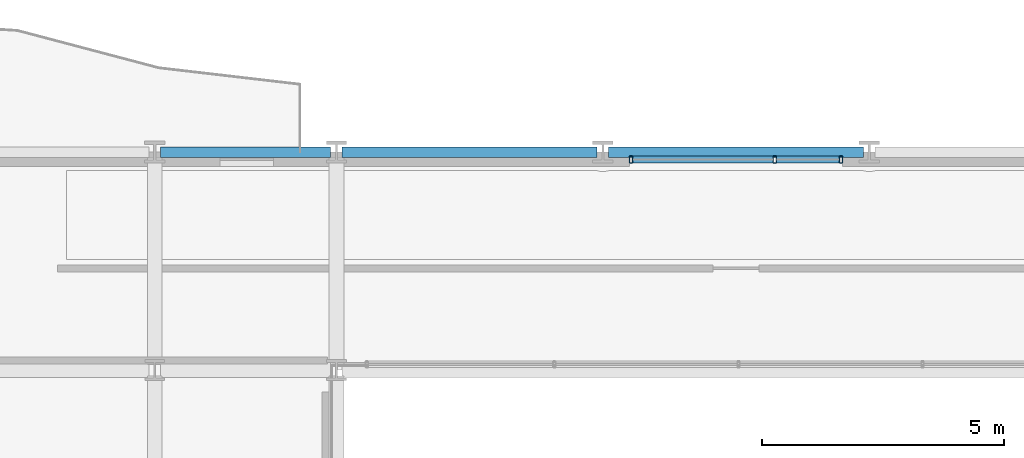
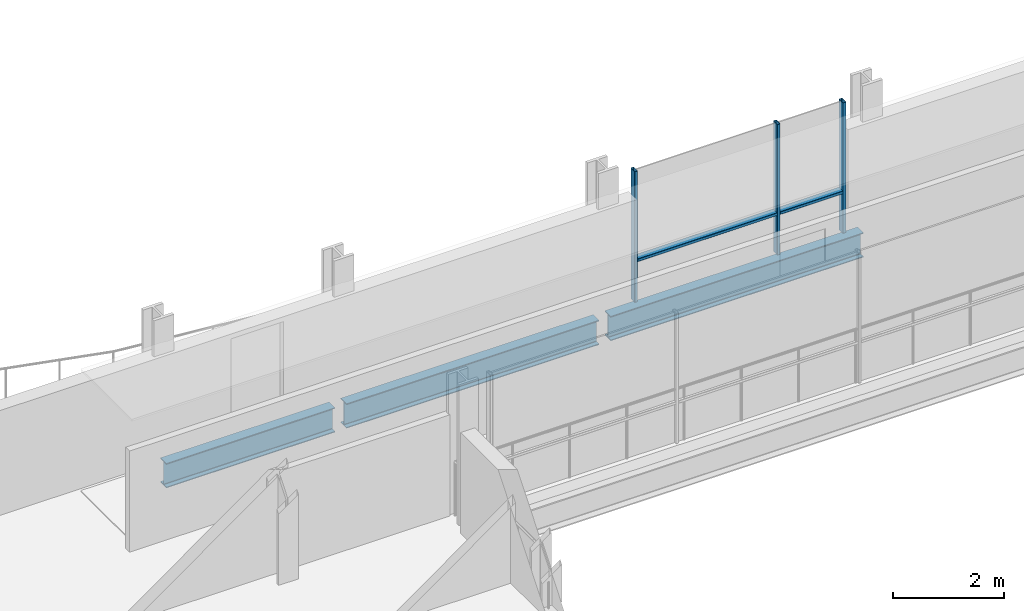
# One storey, part 22 of 41: 5 members, 3 beams, 1 element without a shape of its own.
"""IFC4 building model written with IfcOpenShell, lengths in metres."""

from ifc_helpers import new_model, si_unit, direction, frame, origin, origin_2d, place, context, subcontext, project, spatial, hollow_rectangle, i_section, extrude, material, layer, layer_set, material_profile, profile_set, type_object, element, aggregate, save


model = new_model("IFC4")

# Units and contexts
model_context = context("Model", 3, precision=1e-05, world=origin(), true_north=direction((0.0, 1.0)))
body_context = subcontext(model_context, "Body", "Model", "MODEL_VIEW")
ifc_project = project(units=[si_unit("LENGTHUNIT", "METRE"), si_unit("AREAUNIT", "SQUARE_METRE"), si_unit("VOLUMEUNIT", "CUBIC_METRE"), si_unit("PLANEANGLEUNIT", "RADIAN"), si_unit("MASSUNIT", "GRAM", prefix="KILO")], contexts=[model_context])

# Site, building, storey
site_placement = place(None, origin())
site = spatial("IfcSite", under=ifc_project, at=site_placement, CompositionType="ELEMENT")
building_placement = place(site_placement, origin())
building = spatial("IfcBuilding", under=site, at=building_placement, Name="Brevholm Reach", CompositionType="ELEMENT")
storey_placement = place(building_placement, frame((0.0, 0.0, 86.89990234375)))
storey = spatial("IfcBuildingStorey", under=building, at=storey_placement, Name="L25", CompositionType="ELEMENT", Elevation=86.89990234375)

# Beams
ifc_material_1 = material(Name="Structural Steel S355J2", Category="steel")
ifc_material_profile_1 = material_profile(ifc_material_1, i_section(OverallWidth=0.210693359375, OverallDepth=0.53955078125, WebThickness=0.01171875, FlangeThickness=0.018798828125, FilletRadius=0.0126953125, at=origin_2d()), Name="UKB 533x210x109")
ifc_profile_set_1 = profile_set([ifc_material_profile_1], Name="Structural Steel S355J2")
beam_type = type_object("IfcBeamType", Name="BM-SP539", PredefinedType="SPANDREL", material=ifc_profile_set_1)
beam_placement = place(storey_placement, frame((18.1201171875, 31.0, -0.499755859375), z_axis=(1.0, 0.0, 0.0), x_axis=(0.0, 1.0, 0.0)))
element("IfcBeam", 1, at=beam_placement, inside=storey, type_object=beam_type, Name="L25 SP-01B Framing Beam", PredefinedType="SPANDREL", context=body_context, shape_type="SweptSolid", body=[
    extrude(i_section(OverallWidth=0.210693359375, OverallDepth=0.53955078125, WebThickness=0.01171875, FlangeThickness=0.018798828125, FilletRadius=0.0126953125, at=origin_2d()), origin(), (0.0, 0.0, 1.0), 3.509765625),
])
for number, where, z_axis, x_axis, name in (
    (2, (21.8701171875, 31.0, -0.499755859375), (1.0, 0.0, 0.0), (0.0, 1.0, 0.0), "L25 SP-01B Framing Beam"),
    (3, (27.3701171875, 31.0, -0.499755859375), (1.0, 0.0, 0.0), (0.0, 1.0, 0.0), "L25 SP-01B Framing Beam"),
):
    element("IfcBeam", number, at=place(storey_placement, frame(where, z_axis=z_axis, x_axis=x_axis)), inside=storey, type_object=beam_type, Name=name, PredefinedType="SPANDREL", context=body_context, shape_type="SweptSolid", body=[
        extrude(i_section(OverallWidth=0.210693359375, OverallDepth=0.53955078125, WebThickness=0.01171875, FlangeThickness=0.018798828125, FilletRadius=0.0126953125, at=origin_2d()), origin(), (0.0, 0.0, 1.0), 5.259765625),
    ])

# Curtain wall, members
ifc_material_2 = material(Name="Dark Anodised Aluminium 6063-T6 and Solar-Control Glass", Category="aluminium")
ifc_layer = layer(ifc_material_2, 0.14990234375)
ifc_layer_set = layer_set([ifc_layer], Name="Dark Anodised Aluminium 6063-T6 and Solar-Control Glass")
curtain_wall_type = type_object("IfcCurtainWallType", Name="CW-01", PredefinedType="NOTDEFINED", material=ifc_layer_set)
curtain_wall_placement = place(storey_placement, origin())
curtain_wall = element("IfcCurtainWall", 4, at=curtain_wall_placement, inside=storey, type_object=curtain_wall_type, Name="L25 Curtain Wall CW-01", PredefinedType="NOTDEFINED")
ifc_material_3 = material(Name="Dark Anodised Aluminium 6063-T6", Category="aluminium")
ifc_material_profile_2 = material_profile(ifc_material_3, hollow_rectangle(XDim=0.06494140625, YDim=0.14990234375, WallThickness=0.0048828125, InnerFilletRadius=0.0048828125, OuterFilletRadius=0.010009765625, at=origin_2d()), Name="RHS 150x65x5")
ifc_profile_set_2 = profile_set([ifc_material_profile_2], Name="Dark Anodised Aluminium 6063-T6")
member_type_1 = type_object("IfcMemberType", Name="CWM-150", PredefinedType="MULLION", material=ifc_profile_set_2)
member_1_placement = place(storey_placement, frame((27.83251953125, 30.85009765625, 0.0), z_axis=(0.0, 0.0, 1.0), x_axis=(1.0, 0.0, 0.0)))
member_1 = element("IfcMember", 5, at=member_1_placement, type_object=member_type_1, Name="CM-150 Mullion 1", PredefinedType="MULLION", context=body_context, shape_type="SweptSolid", body=[
    extrude(hollow_rectangle(XDim=0.06494140625, YDim=0.14990234375, WallThickness=0.0048828125, InnerFilletRadius=0.0048828125, OuterFilletRadius=0.010009765625, at=origin_2d()), origin(), (0.0, 0.0, 1.0), 2.8701171875),
])
member_2_placement = place(storey_placement, frame((30.800048828125, 30.85009765625, 0.0), z_axis=(0.0, 0.0, 1.0), x_axis=(1.0, 0.0, 0.0)))
member_2 = element("IfcMember", 6, at=member_2_placement, type_object=member_type_1, Name="CM-150 Mullion 2", PredefinedType="MULLION", context=body_context, shape_type="SweptSolid", body=[
    extrude(hollow_rectangle(XDim=0.06494140625, YDim=0.14990234375, WallThickness=0.0048828125, InnerFilletRadius=0.0048828125, OuterFilletRadius=0.010009765625, at=origin_2d()), origin(), (0.0, 0.0, 1.0), 2.8701171875),
])
member_3_placement = place(storey_placement, frame((32.16748046875, 30.85009765625, 0.0), z_axis=(0.0, 0.0, 1.0), x_axis=(1.0, 0.0, 0.0)))
member_3 = element("IfcMember", 7, at=member_3_placement, type_object=member_type_1, Name="CM-150 Mullion 3", PredefinedType="MULLION", context=body_context, shape_type="SweptSolid", body=[
    extrude(hollow_rectangle(XDim=0.06494140625, YDim=0.14990234375, WallThickness=0.0048828125, InnerFilletRadius=0.0048828125, OuterFilletRadius=0.010009765625, at=origin_2d()), origin(), (0.0, 0.0, 1.0), 2.8701171875),
])
ifc_material_4 = material(Name="Dark Anodised Aluminium 6063-T6", Category="aluminium")
ifc_material_profile_3 = material_profile(ifc_material_4, hollow_rectangle(XDim=0.06494140625, YDim=0.14990234375, WallThickness=0.0048828125, InnerFilletRadius=0.0048828125, OuterFilletRadius=0.010009765625, at=origin_2d()), Name="RHS 150x65x5")
ifc_profile_set_3 = profile_set([ifc_material_profile_3], Name="Dark Anodised Aluminium 6063-T6")
member_type_2 = type_object("IfcMemberType", Name="CWT-150", PredefinedType="NOTDEFINED", material=ifc_profile_set_3)
member_4_placement = place(storey_placement, frame((27.864990234375, 30.85009765625, 0.900146484375), z_axis=(1.0, 0.0, 0.0), x_axis=(0.0, 0.0, 1.0)))
member_4 = element("IfcMember", 8, at=member_4_placement, type_object=member_type_2, Name="CT-150 Transom 1.1", ObjectType="TRANSOM", PredefinedType="USERDEFINED", context=body_context, shape_type="SweptSolid", body=[
    extrude(hollow_rectangle(XDim=0.06494140625, YDim=0.14990234375, WallThickness=0.0048828125, InnerFilletRadius=0.0048828125, OuterFilletRadius=0.010009765625, at=origin_2d()), origin(), (0.0, 0.0, 1.0), 2.902587890625),
])
member_5_placement = place(storey_placement, frame((30.83251953125, 30.85009765625, 0.900146484375), z_axis=(1.0, 0.0, 0.0), x_axis=(0.0, 0.0, 1.0)))
member_5 = element("IfcMember", 9, at=member_5_placement, type_object=member_type_2, Name="CT-150 Transom 2.1", ObjectType="TRANSOM", PredefinedType="USERDEFINED", context=body_context, shape_type="SweptSolid", body=[
    extrude(hollow_rectangle(XDim=0.06494140625, YDim=0.14990234375, WallThickness=0.0048828125, InnerFilletRadius=0.0048828125, OuterFilletRadius=0.010009765625, at=origin_2d()), origin(), (0.0, 0.0, 1.0), 1.302490234375),
])
aggregate(curtain_wall, [member_1, member_2, member_3, member_4, member_5])

save(model, "model.ifc")
